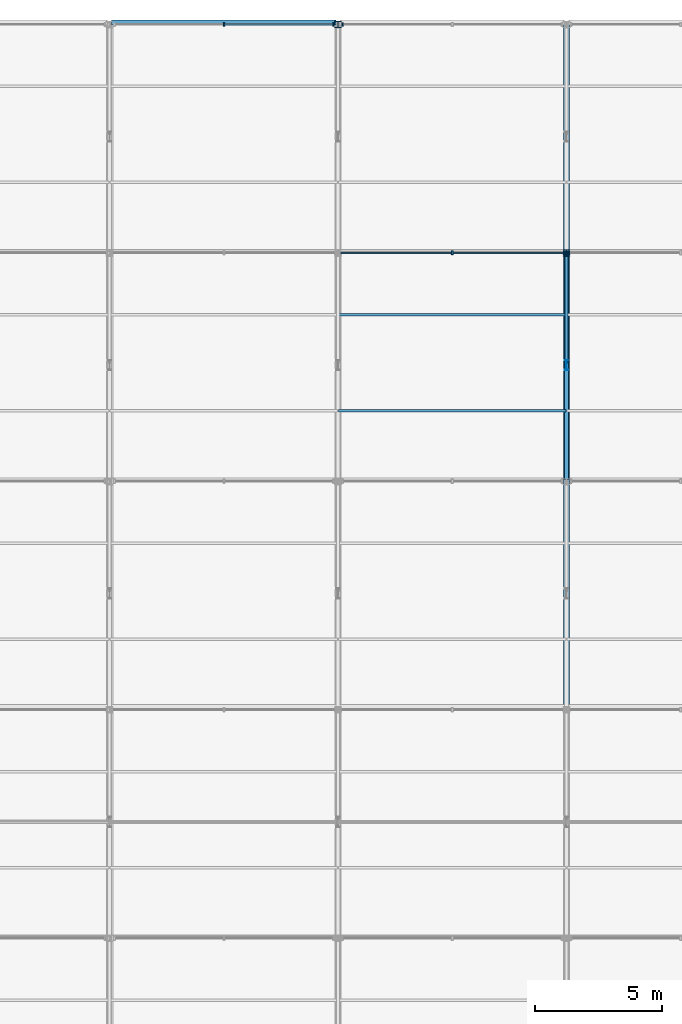
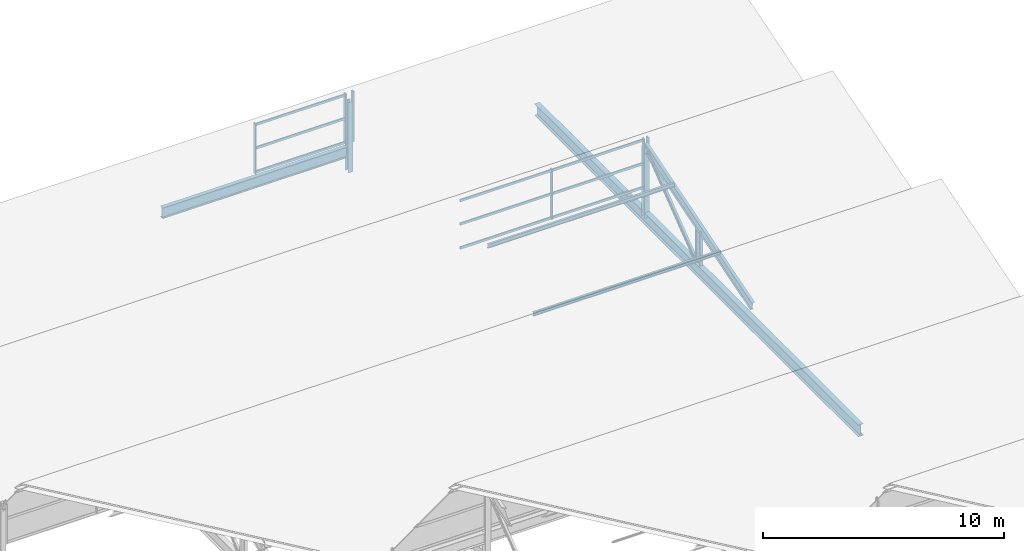
# One storey, part 105 of 163: 22 members, 2 beams, 4 elements without a shape of their own.
"""IFC4 building model written with IfcOpenShell, lengths in metres."""

from ifc_helpers import new_model, si_unit, direction, frame, origin, origin_2d, place, context, subcontext, project, spatial, rectangle, i_section, extrude, material, material_profile, profile_set, type_object, element, aggregate, save


model = new_model("IFC4")

# Units and contexts
model_context = context("Model", 3, precision=1e-05, world=origin(), true_north=direction((0.0, 1.0)))
body_context = subcontext(model_context, "Body", "Model", "MODEL_VIEW")
ifc_project = project(units=[si_unit("LENGTHUNIT", "METRE"), si_unit("AREAUNIT", "SQUARE_METRE"), si_unit("VOLUMEUNIT", "CUBIC_METRE"), si_unit("PLANEANGLEUNIT", "RADIAN"), si_unit("MASSUNIT", "GRAM", prefix="KILO")], contexts=[model_context])

# Site, building, storey
site_placement = place(None, origin())
site = spatial("IfcSite", under=ifc_project, at=site_placement, CompositionType="ELEMENT")
building_placement = place(site_placement, origin())
building = spatial("IfcBuilding", under=site, at=building_placement, Name="Tharagai Park Tramway Depot", CompositionType="ELEMENT")
storey_placement = place(building_placement, frame((0.0, 0.0, 8.39990234375)))
storey = spatial("IfcBuildingStorey", under=building, at=storey_placement, Name="L02", CompositionType="ELEMENT", Elevation=8.39990234375)

# Beams
ifc_material_1 = material(Name="Steel E350", Category="steel")
ifc_material_profile_1 = material_profile(ifc_material_1, i_section(OverallWidth=0.25, OverallDepth=0.60009765625, WebThickness=0.01171875, FlangeThickness=0.023681640625, FilletRadius=0.01708984375, at=origin_2d()), Name="ISWB 600")
ifc_profile_set_1 = profile_set([ifc_material_profile_1], Name="Steel E350")
beam_type_1 = type_object("IfcBeamType", Name="BM-01", PredefinedType="BEAM", material=ifc_profile_set_1)
beam_1_placement = place(storey_placement, frame((135.0, 117.080078125, -0.25), z_axis=(0.0, 1.0, 0.0), x_axis=(-1.0, 0.0, 0.0)))
element("IfcBeam", 1, at=beam_1_placement, inside=storey, type_object=beam_type_1, Name="Sawtooth Truss Bottom Tie Girder BM-01", PredefinedType="BEAM", context=body_context, shape_type="SweptSolid", body=[
    extrude(i_section(OverallWidth=0.25, OverallDepth=0.60009765625, WebThickness=0.01171875, FlangeThickness=0.023681640625, FilletRadius=0.01708984375, at=origin_2d()), origin(), (0.0, 0.0, 1.0), 26.83984375),
])
ifc_material_profile_2 = material_profile(ifc_material_1, i_section(OverallWidth=0.18994140625, OverallDepth=0.550048828125, WebThickness=0.01123046875, FlangeThickness=0.019287109375, FilletRadius=0.01806640625, at=origin_2d()), Name="ISMB 550")
ifc_profile_set_2 = profile_set([ifc_material_profile_2], Name="Steel E350")
beam_type_2 = type_object("IfcBeamType", Name="BM-09", PredefinedType="BEAM", material=ifc_profile_set_2)
beam_2_placement = place(storey_placement, frame((117.080078125, 144.0, 0.72509765625), z_axis=(1.0, 0.0, 0.0), x_axis=(0.0, 1.0, 0.0)))
element("IfcBeam", 2, at=beam_2_placement, inside=storey, type_object=beam_type_2, Name="Sawtooth Valley Girder BM-09", PredefinedType="BEAM", context=body_context, shape_type="SweptSolid", body=[
    extrude(i_section(OverallWidth=0.18994140625, OverallDepth=0.550048828125, WebThickness=0.01123046875, FlangeThickness=0.019287109375, FilletRadius=0.01806640625, at=origin_2d()), origin(), (0.0, 0.0, 1.0), 8.83984375),
])

# Members
ifc_material_profile_3 = material_profile(ifc_material_1, i_section(OverallWidth=0.25, OverallDepth=0.25, WebThickness=0.0087890625, FlangeThickness=0.009765625, FilletRadius=0.010009765625, at=origin_2d()), Name="ISHB 250")
ifc_profile_set_3 = profile_set([ifc_material_profile_3], Name="Steel E350")
member_type_1 = type_object("IfcMemberType", Name="BR-01", PredefinedType="BRACE", material=ifc_profile_set_3)
for number, where, z_axis, x_axis, name in (
    (3, (126.0, 143.919921875, -0.25), (0.0, 0.0, 1.0), (1.0, 0.0, 0.0), "Sawtooth North Vertical Post BR-01"),
    (4, (135.0, 134.919921875, -0.25), (0.0, 0.0, 1.0), (1.0, 0.0, 0.0), "Sawtooth North Vertical Post BR-01"),
):
    element("IfcMember", number, at=place(storey_placement, frame(where, z_axis=z_axis, x_axis=x_axis)), inside=storey, type_object=member_type_1, Name=name, PredefinedType="BRACE", context=body_context, shape_type="SweptSolid", body=[
        extrude(i_section(OverallWidth=0.25, OverallDepth=0.25, WebThickness=0.0087890625, FlangeThickness=0.009765625, FilletRadius=0.010009765625, at=origin_2d()), origin(), (0.0, 0.0, 1.0), 3.55517578125),
    ])
ifc_material_profile_4 = material_profile(ifc_material_1, i_section(OverallWidth=0.110107421875, OverallDepth=0.22509765625, WebThickness=0.006591796875, FlangeThickness=0.01171875, FilletRadius=0.011962890625, at=origin_2d()), Name="ISMB 225")
ifc_profile_set_4 = profile_set([ifc_material_profile_4], Name="Steel E350")
member_type_2 = type_object("IfcMemberType", Name="BR-04", PredefinedType="BRACE", material=ifc_profile_set_4)
member_1_placement = place(storey_placement, frame((135.0, 130.64990234375, 0.0), z_axis=(0.0, 0.790781596, 0.612098413188), x_axis=(-1.0, 0.0, 0.0)))
element("IfcMember", 5, at=member_1_placement, inside=storey, type_object=member_type_2, Name="Sawtooth Truss Web Diagonal BR-04", PredefinedType="BRACE", context=body_context, shape_type="SweptSolid", body=[
    extrude(i_section(OverallWidth=0.110107421875, OverallDepth=0.22509765625, WebThickness=0.006591796875, FlangeThickness=0.01171875, FilletRadius=0.011962890625, at=origin_2d()), origin(), (0.0, 0.0, 1.0), 5.399658203125),
])

# Curtain wall, members
ifc_material_2 = material(Name="Anodised aluminium", Category="aluminium")
curtain_wall_type_1 = type_object("IfcCurtainWallType", Name="CW-04", PredefinedType="NOTDEFINED", material=ifc_material_2)
curtain_wall_1_placement = place(storey_placement, origin())
curtain_wall_1 = element("IfcCurtainWall", 6, at=curtain_wall_1_placement, inside=storey, type_object=curtain_wall_type_1, Name="Sawtooth North-Light Clerestory CW-04", PredefinedType="NOTDEFINED")
ifc_material_profile_5 = material_profile(ifc_material_2, rectangle(XDim=0.06494140625, YDim=0.1201171875, at=origin_2d()), Name="ALU 65x120")
ifc_profile_set_5 = profile_set([ifc_material_profile_5], Name="Anodised aluminium")
member_type_3 = type_object("IfcMemberType", Name="CM-01", PredefinedType="USERDEFINED", material=ifc_profile_set_5)
member_2_placement = place(storey_placement, frame((126.114990234375, 134.919921875, 1.26513671875), z_axis=(1.0, 0.0, 0.0), x_axis=(0.0, 1.0, 0.0)))
member_2 = element("IfcMember", 7, at=member_2_placement, type_object=member_type_3, Name="Sawtooth North-Light Clerestory Transom 1.1", ObjectType="TRANSOM", PredefinedType="USERDEFINED", context=body_context, shape_type="SweptSolid", body=[
    extrude(rectangle(XDim=0.06494140625, YDim=0.1201171875, at=origin_2d()), origin(), (0.0, 0.0, 1.0), 4.3701171875),
])
member_3_placement = place(storey_placement, frame((126.114990234375, 134.919921875, 2.4736328125), z_axis=(1.0, 0.0, 0.0), x_axis=(0.0, 1.0, 0.0)))
member_3 = element("IfcMember", 8, at=member_3_placement, type_object=member_type_3, Name="Sawtooth North-Light Clerestory Transom 1.2", ObjectType="TRANSOM", PredefinedType="USERDEFINED", context=body_context, shape_type="SweptSolid", body=[
    extrude(rectangle(XDim=0.06494140625, YDim=0.1201171875, at=origin_2d()), origin(), (0.0, 0.0, 1.0), 4.3701171875),
])
member_4_placement = place(storey_placement, frame((126.114990234375, 134.919921875, 3.662353515625), z_axis=(1.0, 0.0, 0.0), x_axis=(0.0, 1.0, 0.0)))
member_4 = element("IfcMember", 9, at=member_4_placement, type_object=member_type_3, Name="Sawtooth North-Light Clerestory Transom 1.3", ObjectType="TRANSOM", PredefinedType="USERDEFINED", context=body_context, shape_type="SweptSolid", body=[
    extrude(rectangle(XDim=0.06494140625, YDim=0.1201171875, at=origin_2d()), origin(), (0.0, 0.0, 1.0), 4.3701171875),
])
member_5_placement = place(storey_placement, frame((130.514892578125, 134.919921875, 1.26513671875), z_axis=(1.0, 0.0, 0.0), x_axis=(0.0, 1.0, 0.0)))
member_5 = element("IfcMember", 10, at=member_5_placement, type_object=member_type_3, Name="Sawtooth North-Light Clerestory Transom 2.1", ObjectType="TRANSOM", PredefinedType="USERDEFINED", context=body_context, shape_type="SweptSolid", body=[
    extrude(rectangle(XDim=0.06494140625, YDim=0.1201171875, at=origin_2d()), origin(), (0.0, 0.0, 1.0), 4.3701171875),
])
member_6_placement = place(storey_placement, frame((130.514892578125, 134.919921875, 2.4736328125), z_axis=(1.0, 0.0, 0.0), x_axis=(0.0, 1.0, 0.0)))
member_6 = element("IfcMember", 11, at=member_6_placement, type_object=member_type_3, Name="Sawtooth North-Light Clerestory Transom 2.2", ObjectType="TRANSOM", PredefinedType="USERDEFINED", context=body_context, shape_type="SweptSolid", body=[
    extrude(rectangle(XDim=0.06494140625, YDim=0.1201171875, at=origin_2d()), origin(), (0.0, 0.0, 1.0), 4.3701171875),
])
member_7_placement = place(storey_placement, frame((130.514892578125, 134.919921875, 3.662353515625), z_axis=(1.0, 0.0, 0.0), x_axis=(0.0, 1.0, 0.0)))
member_7 = element("IfcMember", 12, at=member_7_placement, type_object=member_type_3, Name="Sawtooth North-Light Clerestory Transom 2.3", ObjectType="TRANSOM", PredefinedType="USERDEFINED", context=body_context, shape_type="SweptSolid", body=[
    extrude(rectangle(XDim=0.06494140625, YDim=0.1201171875, at=origin_2d()), origin(), (0.0, 0.0, 1.0), 4.3701171875),
])

curtain_wall_type_2 = type_object("IfcCurtainWallType", Name="CW-03", PredefinedType="NOTDEFINED", material=ifc_material_2)
curtain_wall_2_placement = place(storey_placement, origin())
curtain_wall_2 = element("IfcCurtainWall", 13, at=curtain_wall_2_placement, inside=storey, type_object=curtain_wall_type_2, Name="Sawtooth North-Light Clerestory CW-03", PredefinedType="NOTDEFINED")
member_8_placement = place(storey_placement, frame((121.514892578125, 143.919921875, 1.26513671875), z_axis=(1.0, 0.0, 0.0), x_axis=(0.0, 1.0, 0.0)))
member_8 = element("IfcMember", 14, at=member_8_placement, type_object=member_type_3, Name="Sawtooth North-Light Clerestory Transom 2.1", ObjectType="TRANSOM", PredefinedType="USERDEFINED", context=body_context, shape_type="SweptSolid", body=[
    extrude(rectangle(XDim=0.06494140625, YDim=0.1201171875, at=origin_2d()), origin(), (0.0, 0.0, 1.0), 4.2900390625),
])
member_9_placement = place(storey_placement, frame((121.514892578125, 143.919921875, 2.4736328125), z_axis=(1.0, 0.0, 0.0), x_axis=(0.0, 1.0, 0.0)))
member_9 = element("IfcMember", 15, at=member_9_placement, type_object=member_type_3, Name="Sawtooth North-Light Clerestory Transom 2.2", ObjectType="TRANSOM", PredefinedType="USERDEFINED", context=body_context, shape_type="SweptSolid", body=[
    extrude(rectangle(XDim=0.06494140625, YDim=0.1201171875, at=origin_2d()), origin(), (0.0, 0.0, 1.0), 4.2900390625),
])
member_10_placement = place(storey_placement, frame((121.514892578125, 143.919921875, 3.662353515625), z_axis=(1.0, 0.0, 0.0), x_axis=(0.0, 1.0, 0.0)))
member_10 = element("IfcMember", 16, at=member_10_placement, type_object=member_type_3, Name="Sawtooth North-Light Clerestory Transom 2.3", ObjectType="TRANSOM", PredefinedType="USERDEFINED", context=body_context, shape_type="SweptSolid", body=[
    extrude(rectangle(XDim=0.06494140625, YDim=0.1201171875, at=origin_2d()), origin(), (0.0, 0.0, 1.0), 4.2900390625),
])

# Member
ifc_material_profile_6 = material_profile(ifc_material_2, rectangle(XDim=0.06494140625, YDim=0.14990234375, at=origin_2d()), Name="ALU 65x150")
ifc_profile_set_6 = profile_set([ifc_material_profile_6], Name="Anodised aluminium")
member_type_4 = type_object("IfcMemberType", Name="CM-03", PredefinedType="MULLION", material=ifc_profile_set_6)
member_11_placement = place(storey_placement, frame((130.5, 134.919921875, 1.2001953125), z_axis=(0.0, 0.0, 1.0), x_axis=(1.0, 0.0, 0.0)))
member_11 = element("IfcMember", 17, at=member_11_placement, type_object=member_type_4, Name="Sawtooth North-Light Clerestory Mullion 2", PredefinedType="MULLION", context=body_context, shape_type="SweptSolid", body=[
    extrude(rectangle(XDim=0.06494140625, YDim=0.14990234375, at=origin_2d()), origin(), (0.0, 0.0, 1.0), 2.547119140625),
])

member_12_placement = place(storey_placement, frame((134.89990234375, 134.919921875, 1.2001953125), z_axis=(0.0, 0.0, 1.0), x_axis=(1.0, 0.0, 0.0)))
member_12 = element("IfcMember", 18, at=member_12_placement, type_object=member_type_4, Name="Sawtooth North-Light Clerestory Mullion 3", PredefinedType="MULLION", context=body_context, shape_type="SweptSolid", body=[
    extrude(rectangle(XDim=0.06494140625, YDim=0.14990234375, at=origin_2d()), origin(), (0.0, 0.0, 1.0), 2.547119140625),
])

aggregate(curtain_wall_1, [member_11, member_12, member_2, member_3, member_4, member_5, member_6, member_7])

# Curtain wall, member
curtain_wall_3_placement = place(storey_placement, origin())
curtain_wall_3 = element("IfcCurtainWall", 19, at=curtain_wall_3_placement, inside=storey, type_object=curtain_wall_type_1, Name="Sawtooth North-Light Clerestory CW-04", PredefinedType="NOTDEFINED")
member_13_placement = place(storey_placement, frame((135.10009765625, 134.919921875, 1.2001953125), z_axis=(0.0, 0.0, 1.0), x_axis=(1.0, 0.0, 0.0)))
member_13 = element("IfcMember", 20, at=member_13_placement, type_object=member_type_4, Name="Sawtooth North-Light Clerestory Mullion 1", PredefinedType="MULLION", context=body_context, shape_type="SweptSolid", body=[
    extrude(rectangle(XDim=0.06494140625, YDim=0.14990234375, at=origin_2d()), origin(), (0.0, 0.0, 1.0), 2.547119140625),
])
aggregate(curtain_wall_3, [member_13])

# Member
member_14_placement = place(storey_placement, frame((121.5, 143.919921875, 1.2001953125), z_axis=(0.0, 0.0, 1.0), x_axis=(1.0, 0.0, 0.0)))
member_14 = element("IfcMember", 21, at=member_14_placement, type_object=member_type_4, Name="Sawtooth North-Light Clerestory Mullion 2", PredefinedType="MULLION", context=body_context, shape_type="SweptSolid", body=[
    extrude(rectangle(XDim=0.06494140625, YDim=0.14990234375, at=origin_2d()), origin(), (0.0, 0.0, 1.0), 2.547119140625),
])

member_15_placement = place(storey_placement, frame((125.820068359375, 143.919921875, 1.2001953125), z_axis=(0.0, 0.0, 1.0), x_axis=(1.0, 0.0, 0.0)))
member_15 = element("IfcMember", 22, at=member_15_placement, type_object=member_type_4, Name="Sawtooth North-Light Clerestory Mullion 3", PredefinedType="MULLION", context=body_context, shape_type="SweptSolid", body=[
    extrude(rectangle(XDim=0.06494140625, YDim=0.14990234375, at=origin_2d()), origin(), (0.0, 0.0, 1.0), 2.547119140625),
])

aggregate(curtain_wall_2, [member_14, member_15, member_8, member_9, member_10])

# Curtain wall, member
curtain_wall_4_placement = place(storey_placement, origin())
curtain_wall_4 = element("IfcCurtainWall", 23, at=curtain_wall_4_placement, inside=storey, type_object=curtain_wall_type_2, Name="Sawtooth North-Light Clerestory CW-03", PredefinedType="NOTDEFINED")
member_16_placement = place(storey_placement, frame((126.179931640625, 143.919921875, 1.2001953125), z_axis=(0.0, 0.0, 1.0), x_axis=(1.0, 0.0, 0.0)))
member_16 = element("IfcMember", 24, at=member_16_placement, type_object=member_type_4, Name="Sawtooth North-Light Clerestory Mullion 1", PredefinedType="MULLION", context=body_context, shape_type="SweptSolid", body=[
    extrude(rectangle(XDim=0.06494140625, YDim=0.14990234375, at=origin_2d()), origin(), (0.0, 0.0, 1.0), 2.547119140625),
])
aggregate(curtain_wall_4, [member_16])

# Members
ifc_material_3 = material(Name="Steel E250", Category="steel")
ifc_material_profile_7 = material_profile(ifc_material_3, i_section(OverallWidth=0.10009765625, OverallDepth=0.199951171875, WebThickness=0.005615234375, FlangeThickness=0.0107421875, FilletRadius=0.010986328125, at=origin_2d()), Name="ISMB 200")
ifc_profile_set_7 = profile_set([ifc_material_profile_7], Name="Steel E250")
member_type_5 = type_object("IfcMemberType", Name="PR-04", PredefinedType="PURLIN", material=ifc_profile_set_7)
for number, where, z_axis, x_axis, name in (
    (25, (126.02001953125, 128.699951171875, 1.733154296875), (1.0, 0.0, 0.0), (0.0, 1.0, 0.0), "Sawtooth Roof Purlin PR-04"),
    (26, (126.02001953125, 132.47998046875, 2.87451171875), (1.0, 0.0, 0.0), (0.0, 1.0, 0.0), "Sawtooth Roof Purlin PR-04"),
):
    element("IfcMember", number, at=place(storey_placement, frame(where, z_axis=z_axis, x_axis=x_axis)), inside=storey, type_object=member_type_5, Name=name, PredefinedType="PURLIN", context=body_context, shape_type="SweptSolid", body=[
        extrude(i_section(OverallWidth=0.10009765625, OverallDepth=0.199951171875, WebThickness=0.005615234375, FlangeThickness=0.0107421875, FilletRadius=0.010986328125, at=origin_2d()), origin(), (0.0, 0.0, 1.0), 8.9599609375),
    ])
ifc_material_profile_8 = material_profile(ifc_material_1, i_section(OverallWidth=0.14990234375, OverallDepth=0.449951171875, WebThickness=0.009521484375, FlangeThickness=0.017333984375, FilletRadius=0.014892578125, at=origin_2d()), Name="ISMB 450")
ifc_profile_set_8 = profile_set([ifc_material_profile_8], Name="Steel E350")
member_type_6 = type_object("IfcMemberType", Name="TC-05", PredefinedType="CHORD", material=ifc_profile_set_8)
member_17_placement = place(storey_placement, frame((135.0, 126.06005859375, 0.587890625), z_axis=(0.0, 0.956231486327, 0.29261125159), x_axis=(-1.0, 0.0, 0.0)))
element("IfcMember", 27, at=member_17_placement, inside=storey, type_object=member_type_6, Name="Sawtooth Top Chord TC-05", PredefinedType="CHORD", context=body_context, shape_type="SweptSolid", body=[
    extrude(i_section(OverallWidth=0.14990234375, OverallDepth=0.449951171875, WebThickness=0.009521484375, FlangeThickness=0.017333984375, FilletRadius=0.014892578125, at=origin_2d()), origin(), (0.0, 0.0, 1.0), 9.286376953125),
])
ifc_material_profile_9 = material_profile(ifc_material_1, i_section(OverallWidth=0.139892578125, OverallDepth=0.39990234375, WebThickness=0.0087890625, FlangeThickness=0.01611328125, FilletRadius=0.013916015625, at=origin_2d()), Name="ISMB 400")
ifc_profile_set_9 = profile_set([ifc_material_profile_9], Name="Steel E350")
member_type_7 = type_object("IfcMemberType", Name="TC-06", PredefinedType="CHORD", material=ifc_profile_set_9)
member_18_placement = place(storey_placement, frame((135.0, 130.5, -0.0498046875), z_axis=(0.0, 0.0, 1.0), x_axis=(1.0, 0.0, 0.0)))
element("IfcMember", 28, at=member_18_placement, inside=storey, type_object=member_type_7, Name="Sawtooth Mid-Tooth Strut TC-06", PredefinedType="CHORD", context=body_context, shape_type="SweptSolid", body=[
    extrude(i_section(OverallWidth=0.139892578125, OverallDepth=0.39990234375, WebThickness=0.0087890625, FlangeThickness=0.01611328125, FilletRadius=0.013916015625, at=origin_2d()), origin(), (0.0, 0.0, 1.0), 1.846435546875),
])

save(model, "model.ifc")
